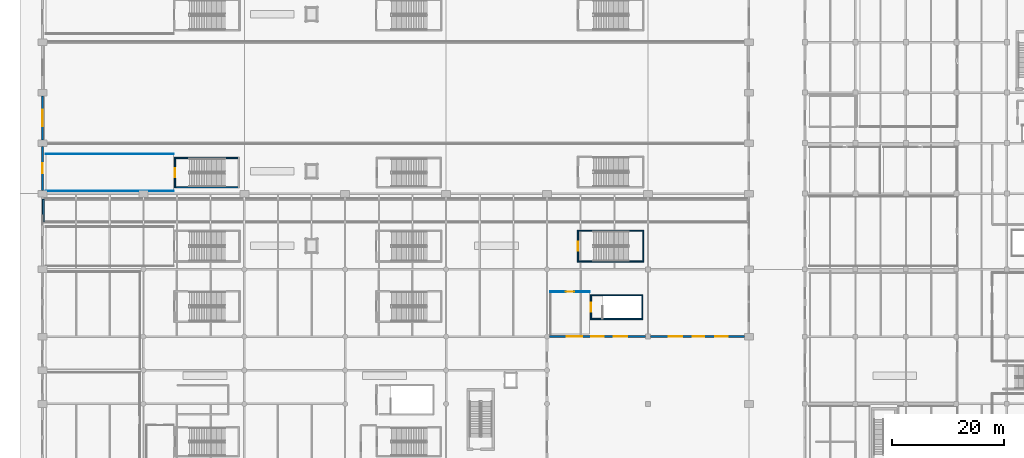
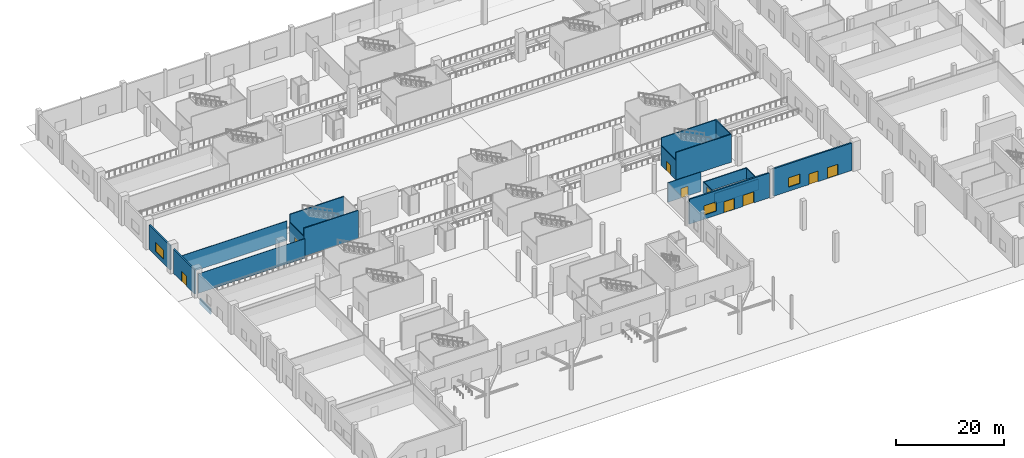
# One storey, part 16 of 65: 19 walls, 9 doors, 3 windows, 12 openings.
"""IFC4 building model written with IfcOpenShell, lengths in metres."""

from ifc_helpers import new_model, si_unit, direction, frame, frame_2d, origin, place, context, subcontext, project, spatial, rectangle, extrude, material, layer, layer_set, type_object, element, fill, save


model = new_model("IFC4")

# Units and contexts
model_context = context("Model", 3, precision=1e-05, world=origin(), true_north=direction((0.0, 1.0)))
body_context = subcontext(model_context, "Body", "Model", "MODEL_VIEW")
ifc_project = project(units=[si_unit("LENGTHUNIT", "METRE"), si_unit("AREAUNIT", "SQUARE_METRE"), si_unit("VOLUMEUNIT", "CUBIC_METRE"), si_unit("PLANEANGLEUNIT", "RADIAN"), si_unit("MASSUNIT", "GRAM", prefix="KILO")], contexts=[model_context])

# Site, building, storey
site_placement = place(None, origin())
site = spatial("IfcSite", under=ifc_project, at=site_placement, CompositionType="ELEMENT")
building_placement = place(site_placement, origin())
building = spatial("IfcBuilding", under=site, at=building_placement, Name="Chuanluo Vaults Station", CompositionType="ELEMENT")
storey_placement = place(building_placement, origin())
storey = spatial("IfcBuildingStorey", under=building, at=storey_placement, Name="L00", CompositionType="ELEMENT", Elevation=0.0)

# Wall
ifc_material_1 = material(Name="Concrete C40", Category="concrete")
ifc_layer_1 = layer(ifc_material_1, 0.300048828125)
ifc_layer_set_1 = layer_set([ifc_layer_1], Name="Concrete C40")
wall_type_1 = type_object("IfcWallType", Name="WL-EXT-300", PredefinedType="SOLIDWALL", material=ifc_layer_set_1)
wall_1_placement = place(storey_placement, frame((0.14990234375, 62.5, -1.25), z_axis=(0.0, 0.0, 1.0), x_axis=(0.0, 1.0, 0.0)))
element("IfcWall", 1, at=wall_1_placement, inside=storey, type_object=wall_type_1, Name="Track 1 west end closure wall", PredefinedType="SOLIDWALL", context=body_context, shape_type="SweptSolid", body=[
    extrude(rectangle(XDim=4.0, YDim=0.300048828125, at=frame_2d((2.0, 0.0))), origin(), (0.0, 0.0, 1.0), 1.22998046875),
])

# Wall, openings, doors, window
ifc_material_2 = material(Name="Concrete C40", Category="concrete")
ifc_layer_2 = layer(ifc_material_2, 0.320068359375)
ifc_layer_set_2 = layer_set([ifc_layer_2], Name="Concrete C40")
wall_type_2 = type_object("IfcWallType", Name="WL-EXT-320", PredefinedType="SOLIDWALL", material=ifc_layer_set_2)
wall_2_placement = place(storey_placement, frame((107.550048828125, 42.0, 0.0), z_axis=(0.0, 0.0, 1.0), x_axis=(-1.0, 0.0, 0.0)))
wall_2 = element("IfcWall", 2, at=wall_2_placement, inside=storey, type_object=wall_type_2, Name="East concourse south wall 1", PredefinedType="SOLIDWALL", context=body_context, shape_type="SweptSolid", body=[
    extrude(rectangle(XDim=17.10009765625, YDim=0.320068359375, at=frame_2d((8.550048828125, 0.0))), origin(), (0.0, 0.0, 1.0), 5.594970703125),
])
opening_1_placement = place(wall_2_placement, frame((3.25, 0.0, 0.0)))
opening_1 = element("IfcOpeningElement", 3, at=opening_1_placement, cuts=wall_2, Name="Opening D-E04", PredefinedType="OPENING", context=body_context, shape_type="SweptSolid", body=[
    extrude(rectangle(XDim=2.39990234375, YDim=2.5, at=frame_2d((1.199951171875, 1.25))), frame((0.0, 0.17016, 0.0), z_axis=(0.0, -1.0, 0.0), x_axis=(1.0, 0.0, 0.0)), (0.0, 0.0, 1.0), 0.34007),
])
opening_2_placement = place(wall_2_placement, frame((7.449951171875, 0.0, 0.0)))
opening_2 = element("IfcOpeningElement", 4, at=opening_2_placement, cuts=wall_2, Name="Opening D-E05", PredefinedType="OPENING", context=body_context, shape_type="SweptSolid", body=[
    extrude(rectangle(XDim=2.199951171875, YDim=2.449951171875, at=frame_2d((1.10009765625, 1.22509765625))), frame((0.0, 0.17016, 0.0), z_axis=(0.0, -1.0, 0.0), x_axis=(1.0, 0.0, 0.0)), (0.0, 0.0, 1.0), 0.34007),
])
opening_3_placement = place(wall_2_placement, frame((11.300048828125, 0.0, 0.949951171875)))
opening_3 = element("IfcOpeningElement", 5, at=opening_3_placement, cuts=wall_2, Name="Opening W-17", PredefinedType="OPENING", context=body_context, shape_type="SweptSolid", body=[
    extrude(rectangle(XDim=2.699951171875, YDim=2.10009765625, at=frame_2d((1.35009765625, 1.050048828125))), frame((0.0, 0.17016, 0.0), z_axis=(0.0, -1.0, 0.0), x_axis=(1.0, 0.0, 0.0)), (0.0, 0.0, 1.0), 0.34007),
])
ifc_material_3 = material(Name="Anodised aluminium 6063-T6", Category="aluminium")
door_type_1 = type_object("IfcDoorType", Name="DR-EXT-2200x2450", OperationType="NOTDEFINED", PredefinedType="DOOR", material=ifc_material_3)
door_1_placement = place(opening_2_placement, origin())
door_1 = element("IfcDoor", 6, at=door_1_placement, inside=storey, type_object=door_type_1, Name="D-011 East concourse south wall 1 exit door", OperationType="SINGLE_SWING_LEFT", OverallHeight=2.449951171875, OverallWidth=2.199951171875, PredefinedType="DOOR", context=body_context, shape_type="SweptSolid", body=[
    extrude(rectangle(XDim=2.199951171875, YDim=2.449951171875, at=frame_2d((1.10009765625, 1.22509765625))), frame((0.0, 0.02490234375, 0.0), z_axis=(0.0, -1.0, 0.0), x_axis=(1.0, 0.0, 0.0)), (0.0, 0.0, 1.0), 0.050048828125),
])
fill(opening_2, door_1)
ifc_material_4 = material(Name="Anodised aluminium 6063-T6", Category="aluminium")
door_type_2 = type_object("IfcDoorType", Name="DR-EXT-2400x2500", OperationType="NOTDEFINED", PredefinedType="DOOR", material=ifc_material_4)
door_2_placement = place(opening_1_placement, origin())
door_2 = element("IfcDoor", 7, at=door_2_placement, inside=storey, type_object=door_type_2, Name="D-010 East concourse south wall 1 exit door", OperationType="SINGLE_SWING_RIGHT", OverallHeight=2.5, OverallWidth=2.39990234375, PredefinedType="DOOR", context=body_context, shape_type="SweptSolid", body=[
    extrude(rectangle(XDim=2.39990234375, YDim=2.5, at=frame_2d((1.199951171875, 1.25))), frame((0.0, 0.02490234375, 0.0), z_axis=(0.0, -1.0, 0.0), x_axis=(1.0, 0.0, 0.0)), (0.0, 0.0, 1.0), 0.050048828125),
])
fill(opening_1, door_2)
ifc_material_5 = material(Name="Double-silver Low-E laminated glass", Category="glass")
window_type_1 = type_object("IfcWindowType", Name="WN-RET-2700x2100", PartitioningType="SINGLE_PANEL", PredefinedType="WINDOW", material=ifc_material_5)
window_1_placement = place(opening_3_placement, origin())
window_1 = element("IfcWindow", 8, at=window_1_placement, inside=storey, type_object=window_type_1, Name="W-008 Ground streetwall window", OverallHeight=2.10009765625, OverallWidth=2.699951171875, PartitioningType="SINGLE_PANEL", PredefinedType="WINDOW", context=body_context, shape_type="SweptSolid", body=[
    extrude(rectangle(XDim=2.699951171875, YDim=2.10009765625, at=frame_2d((1.35009765625, 1.050048828125))), frame((0.0, 0.030029296875, 0.0), z_axis=(0.0, -1.0, 0.0), x_axis=(1.0, 0.0, 0.0)), (0.0, 0.0, 1.0), 0.06005859375),
])
fill(opening_3, window_1)

wall_3_placement = place(storey_placement, frame((125.199951171875, 42.0, 0.0), z_axis=(0.0, 0.0, 1.0), x_axis=(-1.0, 0.0, 0.0)))
wall_3 = element("IfcWall", 9, at=wall_3_placement, inside=storey, type_object=wall_type_2, Name="East concourse south wall 2", PredefinedType="SOLIDWALL", context=body_context, shape_type="SweptSolid", body=[
    extrude(rectangle(XDim=16.75, YDim=0.320068359375, at=frame_2d((8.375, 0.0))), origin(), (0.0, 0.0, 1.0), 6.22509765625),
])
opening_4_placement = place(wall_3_placement, frame((3.0, 0.0, 0.0)))
opening_4 = element("IfcOpeningElement", 10, at=opening_4_placement, cuts=wall_3, Name="Opening D-E05", PredefinedType="OPENING", context=body_context, shape_type="SweptSolid", body=[
    extrude(rectangle(XDim=2.199951171875, YDim=2.449951171875, at=frame_2d((1.10009765625, 1.22509765625))), frame((0.0, 0.17016, 0.0), z_axis=(0.0, -1.0, 0.0), x_axis=(1.0, 0.0, 0.0)), (0.0, 0.0, 1.0), 0.34007),
])
opening_5_placement = place(wall_3_placement, frame((7.199951171875, 0.0, 0.0)))
opening_5 = element("IfcOpeningElement", 11, at=opening_5_placement, cuts=wall_3, Name="Opening D-E06", PredefinedType="OPENING", context=body_context, shape_type="SweptSolid", body=[
    extrude(rectangle(XDim=2.0, YDim=2.39990234375, at=frame_2d((1.0, 1.199951171875))), frame((0.0, 0.17016, 0.0), z_axis=(0.0, -1.0, 0.0), x_axis=(1.0, 0.0, 0.0)), (0.0, 0.0, 1.0), 0.34007),
])
opening_6_placement = place(wall_3_placement, frame((11.10009765625, 0.0, 0.949951171875)))
opening_6 = element("IfcOpeningElement", 12, at=opening_6_placement, cuts=wall_3, Name="Opening W-18", PredefinedType="OPENING", context=body_context, shape_type="SweptSolid", body=[
    extrude(rectangle(XDim=2.39990234375, YDim=2.10009765625, at=frame_2d((1.199951171875, 1.050048828125))), frame((0.0, 0.17016, 0.0), z_axis=(0.0, -1.0, 0.0), x_axis=(1.0, 0.0, 0.0)), (0.0, 0.0, 1.0), 0.34007),
])
ifc_material_6 = material(Name="Anodised aluminium 6063-T6", Category="aluminium")
door_type_3 = type_object("IfcDoorType", Name="DR-EXT-2000x2400", OperationType="NOTDEFINED", PredefinedType="DOOR", material=ifc_material_6)
door_3_placement = place(opening_5_placement, origin())
door_3 = element("IfcDoor", 13, at=door_3_placement, inside=storey, type_object=door_type_3, Name="D-013 East concourse south wall 2 exit door", OperationType="SINGLE_SWING_LEFT", OverallHeight=2.39990234375, OverallWidth=2.0, PredefinedType="DOOR", context=body_context, shape_type="SweptSolid", body=[
    extrude(rectangle(XDim=2.0, YDim=2.39990234375, at=frame_2d((1.0, 1.199951171875))), frame((0.0, 0.02490234375, 0.0), z_axis=(0.0, -1.0, 0.0), x_axis=(1.0, 0.0, 0.0)), (0.0, 0.0, 1.0), 0.050048828125),
])
fill(opening_5, door_3)
door_4_placement = place(opening_4_placement, origin())
door_4 = element("IfcDoor", 14, at=door_4_placement, inside=storey, type_object=door_type_1, Name="D-012 East concourse south wall 2 exit door", OperationType="SINGLE_SWING_RIGHT", OverallHeight=2.449951171875, OverallWidth=2.199951171875, PredefinedType="DOOR", context=body_context, shape_type="SweptSolid", body=[
    extrude(rectangle(XDim=2.199951171875, YDim=2.449951171875, at=frame_2d((1.10009765625, 1.22509765625))), frame((0.0, 0.02490234375, 0.0), z_axis=(0.0, -1.0, 0.0), x_axis=(1.0, 0.0, 0.0)), (0.0, 0.0, 1.0), 0.050048828125),
])
fill(opening_4, door_4)
ifc_material_7 = material(Name="Double-silver Low-E laminated glass", Category="glass")
window_type_2 = type_object("IfcWindowType", Name="WN-RET-2400x2100", PartitioningType="SINGLE_PANEL", PredefinedType="WINDOW", material=ifc_material_7)
window_2_placement = place(opening_6_placement, origin())
window_2 = element("IfcWindow", 15, at=window_2_placement, inside=storey, type_object=window_type_2, Name="W-009 Ground streetwall window", OverallHeight=2.10009765625, OverallWidth=2.39990234375, PartitioningType="SINGLE_PANEL", PredefinedType="WINDOW", context=body_context, shape_type="SweptSolid", body=[
    extrude(rectangle(XDim=2.39990234375, YDim=2.10009765625, at=frame_2d((1.199951171875, 1.050048828125))), frame((0.0, 0.030029296875, 0.0), z_axis=(0.0, -1.0, 0.0), x_axis=(1.0, 0.0, 0.0)), (0.0, 0.0, 1.0), 0.06005859375),
])
fill(opening_6, window_2)

# Wall, opening, door
wall_4_placement = place(storey_placement, frame((0.0, 68.10009765625, 0.0), z_axis=(0.0, 0.0, 1.0), x_axis=(0.0, 1.0, 0.0)))
wall_4 = element("IfcWall", 16, at=wall_4_placement, inside=storey, type_object=wall_type_2, Name="West train-shed base wall 2", PredefinedType="SOLIDWALL", context=body_context, shape_type="SweptSolid", body=[
    extrude(rectangle(XDim=7.7998046875, YDim=0.320068359375, at=frame_2d((3.89990234375, 0.0))), origin(), (0.0, 0.0, 1.0), 5.4951171875),
])
opening_7_placement = place(wall_4_placement, frame((3.0, 0.0, 0.0)))
opening_7 = element("IfcOpeningElement", 17, at=opening_7_placement, cuts=wall_4, Name="Opening D-E07", PredefinedType="OPENING", context=body_context, shape_type="SweptSolid", body=[
    extrude(rectangle(XDim=1.800048828125, YDim=2.35009765625, at=frame_2d((0.89990234375, 1.175048828125))), frame((0.0, 0.17016, 0.0), z_axis=(0.0, -1.0, 0.0), x_axis=(1.0, 0.0, 0.0)), (0.0, 0.0, 1.0), 0.34007),
])
ifc_material_8 = material(Name="Anodised aluminium 6063-T6", Category="aluminium")
door_type_4 = type_object("IfcDoorType", Name="DR-EXT-1800x2350", OperationType="NOTDEFINED", PredefinedType="DOOR", material=ifc_material_8)
door_5_placement = place(opening_7_placement, origin())
door_5 = element("IfcDoor", 18, at=door_5_placement, inside=storey, type_object=door_type_4, Name="D-021 West train-shed base wall 2 exit door", OperationType="SINGLE_SWING_LEFT", OverallHeight=2.35009765625, OverallWidth=1.800048828125, PredefinedType="DOOR", context=body_context, shape_type="SweptSolid", body=[
    extrude(rectangle(XDim=1.800048828125, YDim=2.35009765625, at=frame_2d((0.89990234375, 1.175048828125))), frame((0.0, 0.02490234375, 0.0), z_axis=(0.0, -1.0, 0.0), x_axis=(1.0, 0.0, 0.0)), (0.0, 0.0, 1.0), 0.050048828125),
])
fill(opening_7, door_5)

# Wall, opening, window
wall_5_placement = place(storey_placement, frame((0.0, 77.10009765625, 0.0), z_axis=(0.0, 0.0, 1.0), x_axis=(0.0, 1.0, 0.0)))
wall_5 = element("IfcWall", 19, at=wall_5_placement, inside=storey, type_object=wall_type_2, Name="West train-shed base wall 3", PredefinedType="SOLIDWALL", context=body_context, shape_type="SweptSolid", body=[
    extrude(rectangle(XDim=7.7998046875, YDim=0.320068359375, at=frame_2d((3.89990234375, 0.0))), origin(), (0.0, 0.0, 1.0), 5.4951171875),
])
opening_8_placement = place(wall_5_placement, frame((2.39990234375, 0.0, 0.949951171875)))
opening_8 = element("IfcOpeningElement", 20, at=opening_8_placement, cuts=wall_5, Name="Opening W-16", PredefinedType="OPENING", context=body_context, shape_type="SweptSolid", body=[
    extrude(rectangle(XDim=3.0, YDim=2.10009765625, at=frame_2d((1.5, 1.050048828125))), frame((0.0, 0.17016, 0.0), z_axis=(0.0, -1.0, 0.0), x_axis=(1.0, 0.0, 0.0)), (0.0, 0.0, 1.0), 0.34007),
])
ifc_material_9 = material(Name="Double-silver Low-E laminated glass", Category="glass")
window_type_3 = type_object("IfcWindowType", Name="WN-RET-3000x2100", PartitioningType="SINGLE_PANEL", PredefinedType="WINDOW", material=ifc_material_9)
window_3_placement = place(opening_8_placement, origin())
window_3 = element("IfcWindow", 21, at=window_3_placement, inside=storey, type_object=window_type_3, Name="W-019 Ground streetwall window", OverallHeight=2.10009765625, OverallWidth=3.0, PartitioningType="SINGLE_PANEL", PredefinedType="WINDOW", context=body_context, shape_type="SweptSolid", body=[
    extrude(rectangle(XDim=3.0, YDim=2.10009765625, at=frame_2d((1.5, 1.050048828125))), frame((0.0, 0.030029296875, 0.0), z_axis=(0.0, -1.0, 0.0), x_axis=(1.0, 0.0, 0.0)), (0.0, 0.0, 1.0), 0.06005859375),
])
fill(opening_8, window_3)

# Walls
ifc_material_10 = material(Name="Masonry blockwork M10", Category="masonry")
ifc_layer_3 = layer(ifc_material_10, 0.10009765625)
ifc_layer_set_3 = layer_set([ifc_layer_3], Name="Masonry blockwork M10")
wall_type_3 = type_object("IfcWallType", Name="WL-PRT-100", PredefinedType="PARTITIONING", material=ifc_layer_set_3)
for number, where, z_axis, x_axis, name in (
    (22, (23.39990234375, 68.0, 0.0), (0.0, 0.0, 1.0), (-1.0, 0.0, 0.0), "L00-EX10 Stair ST-10 Protected West Exit Passage S partition"),
    (23, (0.60009765625, 74.60009765625, 0.0), (0.0, 0.0, 1.0), (1.0, 0.0, 0.0), "L00-EX10 Stair ST-10 Protected West Exit Passage N partition"),
):
    element("IfcWall", number, at=place(storey_placement, frame(where, z_axis=z_axis, x_axis=x_axis)), inside=storey, type_object=wall_type_3, Name=name, PredefinedType="PARTITIONING", context=body_context, shape_type="SweptSolid", body=[
        extrude(rectangle(XDim=22.7998046875, YDim=0.10009765625, at=frame_2d((11.39990234375, 0.0))), origin(), (0.0, 0.0, 1.0), 4.39990234375),
    ])

# Wall, opening, door
ifc_material_11 = material(Name="Masonry blockwork M10", Category="masonry")
ifc_layer_4 = layer(ifc_material_11, 0.1298828125)
ifc_layer_set_4 = layer_set([ifc_layer_4], Name="Masonry blockwork M10")
wall_type_4 = type_object("IfcWallType", Name="WL-PRT-130", PredefinedType="PARTITIONING", material=ifc_layer_set_4)
wall_6_placement = place(storey_placement, frame((90.60009765625, 50.0, 0.0), z_axis=(0.0, 0.0, 1.0), x_axis=(1.0, 0.0, 0.0)))
wall_6 = element("IfcWall", 24, at=wall_6_placement, inside=storey, type_object=wall_type_4, Name="L00-EX25 Stair ST-25 Protected Ground Exit Lobby N partition", PredefinedType="PARTITIONING", context=body_context, shape_type="SweptSolid", body=[
    extrude(rectangle(XDim=7.0, YDim=0.1298828125, at=frame_2d((3.5, 0.0))), origin(), (0.0, 0.0, 1.0), 4.39990234375),
])
opening_9_placement = place(wall_6_placement, frame((2.75, 0.0, 0.0)))
opening_9 = element("IfcOpeningElement", 25, at=opening_9_placement, cuts=wall_6, Name="Opening FD-03", PredefinedType="OPENING", context=body_context, shape_type="SweptSolid", body=[
    extrude(rectangle(XDim=1.5, YDim=2.14990234375, at=frame_2d((0.75, 1.074951171875))), frame((0.0, 0.07494, 0.0), z_axis=(0.0, -1.0, 0.0), x_axis=(1.0, 0.0, 0.0)), (0.0, 0.0, 1.0), 0.14988),
])
ifc_material_12 = material(Name="Fire-rated steel leaf", Category="steel")
door_type_5 = type_object("IfcDoorType", Name="DR-FIR-1500x2150", OperationType="NOTDEFINED", PredefinedType="DOOR", material=ifc_material_12)
door_6_placement = place(opening_9_placement, origin())
door_6 = element("IfcDoor", 26, at=door_6_placement, inside=storey, type_object=door_type_5, Name="D-156 Stair ST-25 Protected Ground Exit Lobby door", OperationType="SINGLE_SWING_LEFT", OverallHeight=2.14990234375, OverallWidth=1.5, PredefinedType="DOOR", context=body_context, shape_type="SweptSolid", body=[
    extrude(rectangle(XDim=1.5, YDim=2.14990234375, at=frame_2d((0.75, 1.074951171875))), frame((0.0, 0.02490234375, 0.0), z_axis=(0.0, -1.0, 0.0), x_axis=(1.0, 0.0, 0.0)), (0.0, 0.0, 1.0), 0.050048828125),
])
fill(opening_9, door_6)

# Walls
ifc_material_13 = material(Name="Concrete C40", Category="concrete")
ifc_layer_5 = layer(ifc_material_13, 0.199951171875)
ifc_layer_set_5 = layer_set([ifc_layer_5], Name="Concrete C40")
wall_type_5 = type_object("IfcWallType", Name="WL-SHF-200", PredefinedType="SOLIDWALL", material=ifc_layer_set_5)
for number, where, z_axis, x_axis, name in (
    (27, (95.425048828125, 55.39990234375, 0.0), (0.0, 0.0, 1.0), (1.0, 0.0, 0.0), "Stair ST-09 south shaft wall L00"),
    (28, (107.25, 60.85009765625, 0.0), (0.0, 0.0, 1.0), (-1.0, 0.0, 0.0), "Stair ST-09 north shaft wall L00"),
):
    element("IfcWall", number, at=place(storey_placement, frame(where, z_axis=z_axis, x_axis=x_axis)), inside=storey, type_object=wall_type_5, Name=name, PredefinedType="SOLIDWALL", context=body_context, shape_type="SweptSolid", body=[
        extrude(rectangle(XDim=11.824951171875, YDim=0.199951171875, at=frame_2d((5.91259765625, 0.0))), origin(), (0.0, 0.0, 1.0), 6.320068359375),
    ])
wall_7_placement = place(storey_placement, frame((107.14990234375, 55.300048828125, 0.0), z_axis=(0.0, 0.0, 1.0), x_axis=(0.0, 1.0, 0.0)))
element("IfcWall", 29, at=wall_7_placement, inside=storey, type_object=wall_type_5, Name="Stair ST-09 far shaft wall L00", PredefinedType="SOLIDWALL", context=body_context, shape_type="SweptSolid", body=[
    extrude(rectangle(XDim=5.64990234375, YDim=0.199951171875, at=frame_2d((2.824951171875, 0.0))), origin(), (0.0, 0.0, 1.0), 6.320068359375),
])

# Wall, opening, door
wall_8_placement = place(storey_placement, frame((95.52490234375, 60.949951171875, 0.0), z_axis=(0.0, 0.0, 1.0), x_axis=(0.0, -1.0, 0.0)))
wall_8 = element("IfcWall", 30, at=wall_8_placement, inside=storey, type_object=wall_type_5, Name="Stair ST-09 vestibule wall L00", PredefinedType="SOLIDWALL", context=body_context, shape_type="SweptSolid", body=[
    extrude(rectangle(XDim=5.64990234375, YDim=0.199951171875, at=frame_2d((2.824951171875, 0.0))), origin(), (0.0, 0.0, 1.0), 4.39990234375),
])
opening_10_placement = place(wall_8_placement, frame((2.02490234375, 0.0, 0.0)))
opening_10 = element("IfcOpeningElement", 31, at=opening_10_placement, cuts=wall_8, Name="Opening FD-02", PredefinedType="OPENING", context=body_context, shape_type="SweptSolid", body=[
    extrude(rectangle(XDim=1.60009765625, YDim=2.14990234375, at=frame_2d((0.800048828125, 1.074951171875))), frame((0.0, 0.1101, 0.0), z_axis=(0.0, -1.0, 0.0), x_axis=(1.0, 0.0, 0.0)), (0.0, 0.0, 1.0), 0.21995),
])
ifc_material_14 = material(Name="Fire-rated steel leaf", Category="steel")
door_type_6 = type_object("IfcDoorType", Name="DR-FIR-1600x2150", OperationType="NOTDEFINED", PredefinedType="DOOR", material=ifc_material_14)
door_7_placement = place(opening_10_placement, origin())
door_7 = element("IfcDoor", 32, at=door_7_placement, inside=storey, type_object=door_type_6, Name="D-097 Stair ST-09 fire door L00", OperationType="SINGLE_SWING_RIGHT", OverallHeight=2.14990234375, OverallWidth=1.60009765625, PredefinedType="DOOR", context=body_context, shape_type="SweptSolid", body=[
    extrude(rectangle(XDim=1.60009765625, YDim=2.14990234375, at=frame_2d((0.800048828125, 1.074951171875))), frame((0.0, 0.02490234375, 0.0), z_axis=(0.0, -1.0, 0.0), x_axis=(1.0, 0.0, 0.0)), (0.0, 0.0, 1.0), 0.050048828125),
])
fill(opening_10, door_7)

# Walls
for number, where, z_axis, x_axis, name in (
    (33, (23.550048828125, 68.64990234375, 0.0), (0.0, 0.0, 1.0), (1.0, 0.0, 0.0), "Stair ST-10 south shaft wall L00"),
    (34, (35.125, 73.85009765625, 0.0), (0.0, 0.0, 1.0), (-1.0, 0.0, 0.0), "Stair ST-10 north shaft wall L00"),
):
    element("IfcWall", number, at=place(storey_placement, frame(where, z_axis=z_axis, x_axis=x_axis)), inside=storey, type_object=wall_type_5, Name=name, PredefinedType="SOLIDWALL", context=body_context, shape_type="SweptSolid", body=[
        extrude(rectangle(XDim=11.574951171875, YDim=0.199951171875, at=frame_2d((5.78759765625, 0.0))), origin(), (0.0, 0.0, 1.0), 6.320068359375),
    ])

# Wall, opening, door
wall_9_placement = place(storey_placement, frame((23.64990234375, 73.949951171875, 0.0), z_axis=(0.0, 0.0, 1.0), x_axis=(0.0, -1.0, 0.0)))
wall_9 = element("IfcWall", 35, at=wall_9_placement, inside=storey, type_object=wall_type_5, Name="Stair ST-10 vestibule wall L00", PredefinedType="SOLIDWALL", context=body_context, shape_type="SweptSolid", body=[
    extrude(rectangle(XDim=5.39990234375, YDim=0.199951171875, at=frame_2d((2.699951171875, 0.0))), origin(), (0.0, 0.0, 1.0), 4.39990234375),
])
opening_11_placement = place(wall_9_placement, frame((1.89990234375, 0.0, 0.0)))
opening_11 = element("IfcOpeningElement", 36, at=opening_11_placement, cuts=wall_9, Name="Opening FD-02", PredefinedType="OPENING", context=body_context, shape_type="SweptSolid", body=[
    extrude(rectangle(XDim=1.60009765625, YDim=2.14990234375, at=frame_2d((0.800048828125, 1.074951171875))), frame((0.0, 0.1101, 0.0), z_axis=(0.0, -1.0, 0.0), x_axis=(1.0, 0.0, 0.0)), (0.0, 0.0, 1.0), 0.21995),
])
door_8_placement = place(opening_11_placement, origin())
door_8 = element("IfcDoor", 37, at=door_8_placement, inside=storey, type_object=door_type_6, Name="D-099 Stair ST-10 fire door L00", OperationType="SINGLE_SWING_RIGHT", OverallHeight=2.14990234375, OverallWidth=1.60009765625, PredefinedType="DOOR", context=body_context, shape_type="SweptSolid", body=[
    extrude(rectangle(XDim=1.60009765625, YDim=2.14990234375, at=frame_2d((0.800048828125, 1.074951171875))), frame((0.0, 0.02490234375, 0.0), z_axis=(0.0, -1.0, 0.0), x_axis=(1.0, 0.0, 0.0)), (0.0, 0.0, 1.0), 0.050048828125),
])
fill(opening_11, door_8)

# Walls
for number, where, z_axis, x_axis, name in (
    (38, (97.737548828125, 45.14990234375, 0.0), (0.0, 0.0, 1.0), (1.0, 0.0, 0.0), "Stair ST-25 south shaft wall L00"),
    (39, (107.112548828125, 49.35009765625, 0.0), (0.0, 0.0, 1.0), (-1.0, 0.0, 0.0), "Stair ST-25 north shaft wall L00"),
):
    element("IfcWall", number, at=place(storey_placement, frame(where, z_axis=z_axis, x_axis=x_axis)), inside=storey, type_object=wall_type_5, Name=name, PredefinedType="SOLIDWALL", context=body_context, shape_type="SweptSolid", body=[
        extrude(rectangle(XDim=9.375, YDim=0.199951171875, at=frame_2d((4.6875, 0.0))), origin(), (0.0, 0.0, 1.0), 2.449951171875),
    ])
wall_10_placement = place(storey_placement, frame((107.012451171875, 45.050048828125, 0.0), z_axis=(0.0, 0.0, 1.0), x_axis=(0.0, 1.0, 0.0)))
element("IfcWall", 40, at=wall_10_placement, inside=storey, type_object=wall_type_5, Name="Stair ST-25 far shaft wall L00", PredefinedType="SOLIDWALL", context=body_context, shape_type="SweptSolid", body=[
    extrude(rectangle(XDim=4.39990234375, YDim=0.199951171875, at=frame_2d((2.199951171875, 0.0))), origin(), (0.0, 0.0, 1.0), 2.449951171875),
])

# Wall, opening, door
wall_11_placement = place(storey_placement, frame((97.83740234375, 49.449951171875, 0.0), z_axis=(0.0, 0.0, 1.0), x_axis=(0.0, -1.0, 0.0)))
wall_11 = element("IfcWall", 41, at=wall_11_placement, inside=storey, type_object=wall_type_5, Name="Stair ST-25 vestibule wall L00", PredefinedType="SOLIDWALL", context=body_context, shape_type="SweptSolid", body=[
    extrude(rectangle(XDim=4.39990234375, YDim=0.199951171875, at=frame_2d((2.199951171875, 0.0))), origin(), (0.0, 0.0, 1.0), 2.449951171875),
])
opening_12_placement = place(wall_11_placement, frame((1.39990234375, 0.0, 0.0)))
opening_12 = element("IfcOpeningElement", 42, at=opening_12_placement, cuts=wall_11, Name="Opening FD-02", PredefinedType="OPENING", context=body_context, shape_type="SweptSolid", body=[
    extrude(rectangle(XDim=1.60009765625, YDim=2.14990234375, at=frame_2d((0.800048828125, 1.074951171875))), frame((0.0, 0.1101, 0.0), z_axis=(0.0, -1.0, 0.0), x_axis=(1.0, 0.0, 0.0)), (0.0, 0.0, 1.0), 0.21995),
])
door_9_placement = place(opening_12_placement, origin())
door_9 = element("IfcDoor", 43, at=door_9_placement, inside=storey, type_object=door_type_6, Name="D-130 Stair ST-25 fire door L00", OperationType="SINGLE_SWING_LEFT", OverallHeight=2.14990234375, OverallWidth=1.60009765625, PredefinedType="DOOR", context=body_context, shape_type="SweptSolid", body=[
    extrude(rectangle(XDim=1.60009765625, YDim=2.14990234375, at=frame_2d((0.800048828125, 1.074951171875))), frame((0.0, 0.02490234375, 0.0), z_axis=(0.0, -1.0, 0.0), x_axis=(1.0, 0.0, 0.0)), (0.0, 0.0, 1.0), 0.050048828125),
])
fill(opening_12, door_9)

save(model, "model.ifc")
